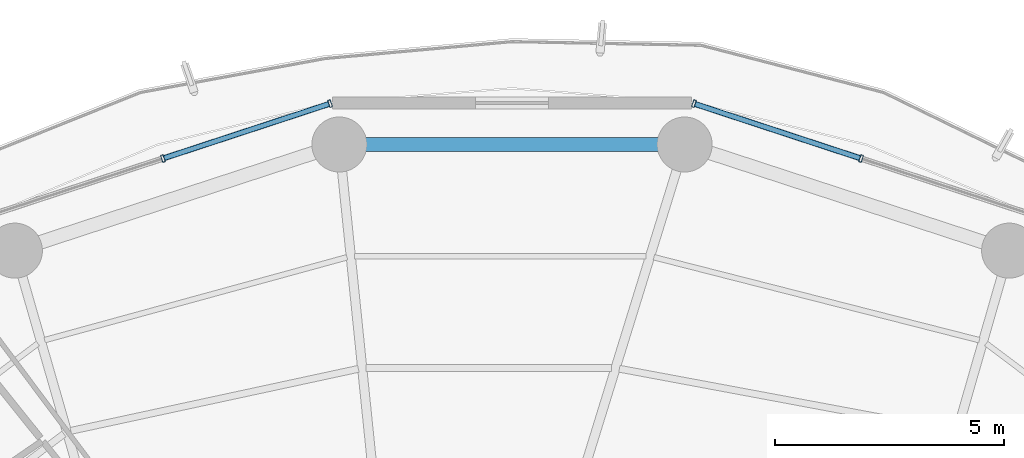
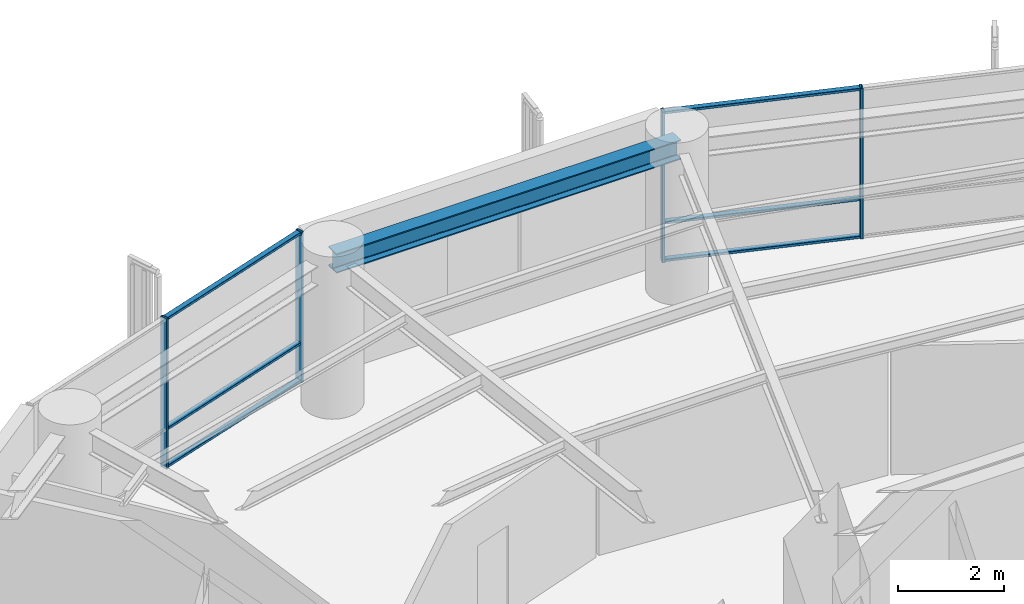
# One storey, part 18 of 27: 10 members, 1 beam, 2 elements without a shape of their own.
"""IFC4 building model written with IfcOpenShell, lengths in metres."""

from ifc_helpers import new_model, si_unit, direction, frame, origin, origin_2d, place, context, subcontext, project, spatial, hollow_rectangle, i_section, extrude, material, layer, layer_set, material_profile, profile_set, type_object, element, aggregate, save


model = new_model("IFC4")

# Units and contexts
model_context = context("Model", 3, precision=1e-05, world=origin(), true_north=direction((0.0, 1.0)))
body_context = subcontext(model_context, "Body", "Model", "MODEL_VIEW")
ifc_project = project(units=[si_unit("LENGTHUNIT", "METRE"), si_unit("AREAUNIT", "SQUARE_METRE"), si_unit("VOLUMEUNIT", "CUBIC_METRE"), si_unit("PLANEANGLEUNIT", "RADIAN"), si_unit("MASSUNIT", "GRAM", prefix="KILO")], contexts=[model_context])

# Site, building, storey
site_placement = place(None, origin())
site = spatial("IfcSite", under=ifc_project, at=site_placement, CompositionType="ELEMENT")
building_placement = place(site_placement, origin())
building = spatial("IfcBuilding", under=site, at=building_placement, Name="Kelanora Arch Commons", CompositionType="ELEMENT")
storey_placement = place(building_placement, frame((0.0, 0.0, 169.35009765625)))
storey = spatial("IfcBuildingStorey", under=building, at=storey_placement, Name="L43", CompositionType="ELEMENT", Elevation=169.35009765625)

# Beam
ifc_material_1 = material(Name="Steel S355", Category="steel")
ifc_material_profile_1 = material_profile(ifc_material_1, i_section(OverallWidth=0.300048828125, OverallDepth=0.449951171875, WebThickness=0.013916015625, FlangeThickness=0.02587890625, FilletRadius=0.027099609375, at=origin_2d()), Name="HEB450")
ifc_profile_set_1 = profile_set([ifc_material_profile_1], Name="Steel S355")
beam_type = type_object("IfcBeamType", Name="BM-SPN-Z3", PredefinedType="SPANDREL", material=ifc_profile_set_1)
beam_placement = place(storey_placement, frame((77.7646484375, 77.18408203125, 3.264892578125), z_axis=(-1.0, 0.0, 0.0), x_axis=(0.0, -1.0, 0.0)))
element("IfcBeam", 1, at=beam_placement, inside=storey, type_object=beam_type, Name="Perimeter Spandrel Beam BS-08 L43", PredefinedType="SPANDREL", context=body_context, shape_type="SweptSolid", body=[
    extrude(i_section(OverallWidth=0.300048828125, OverallDepth=0.449951171875, WebThickness=0.013916015625, FlangeThickness=0.02587890625, FilletRadius=0.027099609375, at=origin_2d()), origin(), (0.0, 0.0, 1.0), 7.529296875),
])

# Curtain wall, members
ifc_material_2 = material(Name="Terracotta ceramic-fritted low-E glass and aluminium", Category="masonry")
ifc_layer = layer(ifc_material_2, 0.175048828125)
ifc_layer_set = layer_set([ifc_layer], Name="Terracotta ceramic-fritted low-E glass and aluminium")
curtain_wall_type = type_object("IfcCurtainWallType", Name="CW-SYS-02", PredefinedType="NOTDEFINED", material=ifc_layer_set)
curtain_wall_1_placement = place(storey_placement, origin())
curtain_wall_1 = element("IfcCurtainWall", 2, at=curtain_wall_1_placement, inside=storey, type_object=curtain_wall_type, Name="Unitised Curtain Wall L43-B03", PredefinedType="NOTDEFINED")
ifc_material_3 = material(Name="Powder-coated aluminium terracotta", Category="masonry")
ifc_material_profile_2 = material_profile(ifc_material_3, hollow_rectangle(XDim=0.159912109375, YDim=0.06005859375, WallThickness=0.0048828125, InnerFilletRadius=0.0048828125, OuterFilletRadius=0.010009765625, at=origin_2d()), Name="CWM160x60")
ifc_profile_set_2 = profile_set([ifc_material_profile_2], Name="Powder-coated aluminium terracotta")
member_type_1 = type_object("IfcMemberType", Name="CWM-STD", PredefinedType="MULLION", material=ifc_profile_set_2)
member_1_placement = place(storey_placement, frame((81.6123046875, 76.87841796875, 0.0), z_axis=(0.0, 0.0, 1.0), x_axis=(-0.312128279571, -0.95003996605, 0.0)))
member_1 = element("IfcMember", 3, at=member_1_placement, type_object=member_type_1, Name="CW-02 mullion 2", PredefinedType="MULLION", context=body_context, shape_type="SweptSolid", body=[
    extrude(hollow_rectangle(XDim=0.159912109375, YDim=0.06005859375, WallThickness=0.0048828125, InnerFilletRadius=0.0048828125, OuterFilletRadius=0.010009765625, at=origin_2d()), origin(), (0.0, 0.0, 1.0), 3.474853515625),
])
member_2_placement = place(storey_placement, frame((77.96728515625, 78.075927734375, 0.0), z_axis=(0.0, 0.0, 1.0), x_axis=(-0.312128279571, -0.95003996605, 0.0)))
member_2 = element("IfcMember", 4, at=member_2_placement, type_object=member_type_1, Name="CW-02 mullion 3", PredefinedType="MULLION", context=body_context, shape_type="SweptSolid", body=[
    extrude(hollow_rectangle(XDim=0.159912109375, YDim=0.06005859375, WallThickness=0.0048828125, InnerFilletRadius=0.0048828125, OuterFilletRadius=0.010009765625, at=origin_2d()), origin(), (0.0, 0.0, 1.0), 3.474853515625),
])

curtain_wall_2_placement = place(storey_placement, origin())
curtain_wall_2 = element("IfcCurtainWall", 5, at=curtain_wall_2_placement, inside=storey, type_object=curtain_wall_type, Name="Unitised Curtain Wall L43-B05", PredefinedType="NOTDEFINED")
member_3_placement = place(storey_placement, frame((70.03271484375, 78.075927734375, 0.0), z_axis=(0.0, 0.0, 1.0), x_axis=(0.312128279571, -0.95003996605, 0.0)))
member_3 = element("IfcMember", 6, at=member_3_placement, type_object=member_type_1, Name="CW-02 mullion 1", PredefinedType="MULLION", context=body_context, shape_type="SweptSolid", body=[
    extrude(hollow_rectangle(XDim=0.159912109375, YDim=0.06005859375, WallThickness=0.0048828125, InnerFilletRadius=0.0048828125, OuterFilletRadius=0.010009765625, at=origin_2d()), origin(), (0.0, 0.0, 1.0), 3.474853515625),
])
member_4_placement = place(storey_placement, frame((66.3876953125, 76.87841796875, 0.0), z_axis=(0.0, 0.0, 1.0), x_axis=(0.312128279571, -0.95003996605, 0.0)))
member_4 = element("IfcMember", 7, at=member_4_placement, type_object=member_type_1, Name="CW-02 mullion 2", PredefinedType="MULLION", context=body_context, shape_type="SweptSolid", body=[
    extrude(hollow_rectangle(XDim=0.159912109375, YDim=0.06005859375, WallThickness=0.0048828125, InnerFilletRadius=0.0048828125, OuterFilletRadius=0.010009765625, at=origin_2d()), origin(), (0.0, 0.0, 1.0), 3.474853515625),
])

# Member
ifc_material_profile_3 = material_profile(ifc_material_3, hollow_rectangle(XDim=0.1201171875, YDim=0.06005859375, WallThickness=0.0048828125, InnerFilletRadius=0.0048828125, OuterFilletRadius=0.010009765625, at=origin_2d()), Name="CWT120x60")
ifc_profile_set_3 = profile_set([ifc_material_profile_3], Name="Powder-coated aluminium terracotta")
member_type_2 = type_object("IfcMemberType", Name="CWT-STD", PredefinedType="USERDEFINED", material=ifc_profile_set_3)
member_5_placement = place(storey_placement, frame((81.583740234375, 76.887939453125, 0.02978515625), z_axis=(-0.950051191155, 0.312094111104, 0.0), x_axis=(-0.312094111104, -0.950051191155, 0.0)))
member_5 = element("IfcMember", 8, at=member_5_placement, type_object=member_type_2, Name="CW-02 transom 2.1", ObjectType="TRANSOM", PredefinedType="USERDEFINED", context=body_context, shape_type="SweptSolid", body=[
    extrude(hollow_rectangle(XDim=0.1201171875, YDim=0.06005859375, WallThickness=0.0048828125, InnerFilletRadius=0.0048828125, OuterFilletRadius=0.010009765625, at=origin_2d()), origin(), (0.0, 0.0, 1.0), 3.77685546875),
])

member_6_placement = place(storey_placement, frame((81.583740234375, 76.887939453125, 0.89990234375), z_axis=(-0.950051191155, 0.312094111104, 0.0), x_axis=(-0.312094111104, -0.950051191155, 0.0)))
member_6 = element("IfcMember", 9, at=member_6_placement, type_object=member_type_2, Name="CW-02 transom 2.2", ObjectType="TRANSOM", PredefinedType="USERDEFINED", context=body_context, shape_type="SweptSolid", body=[
    extrude(hollow_rectangle(XDim=0.1201171875, YDim=0.06005859375, WallThickness=0.0048828125, InnerFilletRadius=0.0048828125, OuterFilletRadius=0.010009765625, at=origin_2d()), origin(), (0.0, 0.0, 1.0), 3.77685546875),
])

member_7_placement = place(storey_placement, frame((81.583740234375, 76.887939453125, 3.44482421875), z_axis=(-0.950051191155, 0.312094111104, 0.0), x_axis=(-0.312094111104, -0.950051191155, 0.0)))
member_7 = element("IfcMember", 10, at=member_7_placement, type_object=member_type_2, Name="CW-02 transom 2.3", ObjectType="TRANSOM", PredefinedType="USERDEFINED", context=body_context, shape_type="SweptSolid", body=[
    extrude(hollow_rectangle(XDim=0.1201171875, YDim=0.06005859375, WallThickness=0.0048828125, InnerFilletRadius=0.0048828125, OuterFilletRadius=0.010009765625, at=origin_2d()), origin(), (0.0, 0.0, 1.0), 3.77685546875),
])

aggregate(curtain_wall_1, [member_1, member_2, member_5, member_6, member_7])

member_8_placement = place(storey_placement, frame((70.00439453125, 78.066650390625, 0.02978515625), z_axis=(-0.950051191155, -0.312094111104, 0.0), x_axis=(0.312094111104, -0.950051191155, 0.0)))
member_8 = element("IfcMember", 11, at=member_8_placement, type_object=member_type_2, Name="CW-02 transom 1.1", ObjectType="TRANSOM", PredefinedType="USERDEFINED", context=body_context, shape_type="SweptSolid", body=[
    extrude(hollow_rectangle(XDim=0.1201171875, YDim=0.06005859375, WallThickness=0.0048828125, InnerFilletRadius=0.0048828125, OuterFilletRadius=0.010009765625, at=origin_2d()), origin(), (0.0, 0.0, 1.0), 3.77685546875),
])

member_9_placement = place(storey_placement, frame((70.00439453125, 78.066650390625, 0.89990234375), z_axis=(-0.950051191155, -0.312094111104, 0.0), x_axis=(0.312094111104, -0.950051191155, 0.0)))
member_9 = element("IfcMember", 12, at=member_9_placement, type_object=member_type_2, Name="CW-02 transom 1.2", ObjectType="TRANSOM", PredefinedType="USERDEFINED", context=body_context, shape_type="SweptSolid", body=[
    extrude(hollow_rectangle(XDim=0.1201171875, YDim=0.06005859375, WallThickness=0.0048828125, InnerFilletRadius=0.0048828125, OuterFilletRadius=0.010009765625, at=origin_2d()), origin(), (0.0, 0.0, 1.0), 3.77685546875),
])

member_10_placement = place(storey_placement, frame((70.00439453125, 78.066650390625, 3.44482421875), z_axis=(-0.950051191155, -0.312094111104, 0.0), x_axis=(0.312094111104, -0.950051191155, 0.0)))
member_10 = element("IfcMember", 13, at=member_10_placement, type_object=member_type_2, Name="CW-02 transom 1.3", ObjectType="TRANSOM", PredefinedType="USERDEFINED", context=body_context, shape_type="SweptSolid", body=[
    extrude(hollow_rectangle(XDim=0.1201171875, YDim=0.06005859375, WallThickness=0.0048828125, InnerFilletRadius=0.0048828125, OuterFilletRadius=0.010009765625, at=origin_2d()), origin(), (0.0, 0.0, 1.0), 3.77685546875),
])

aggregate(curtain_wall_2, [member_3, member_4, member_8, member_9, member_10])

save(model, "model.ifc")
